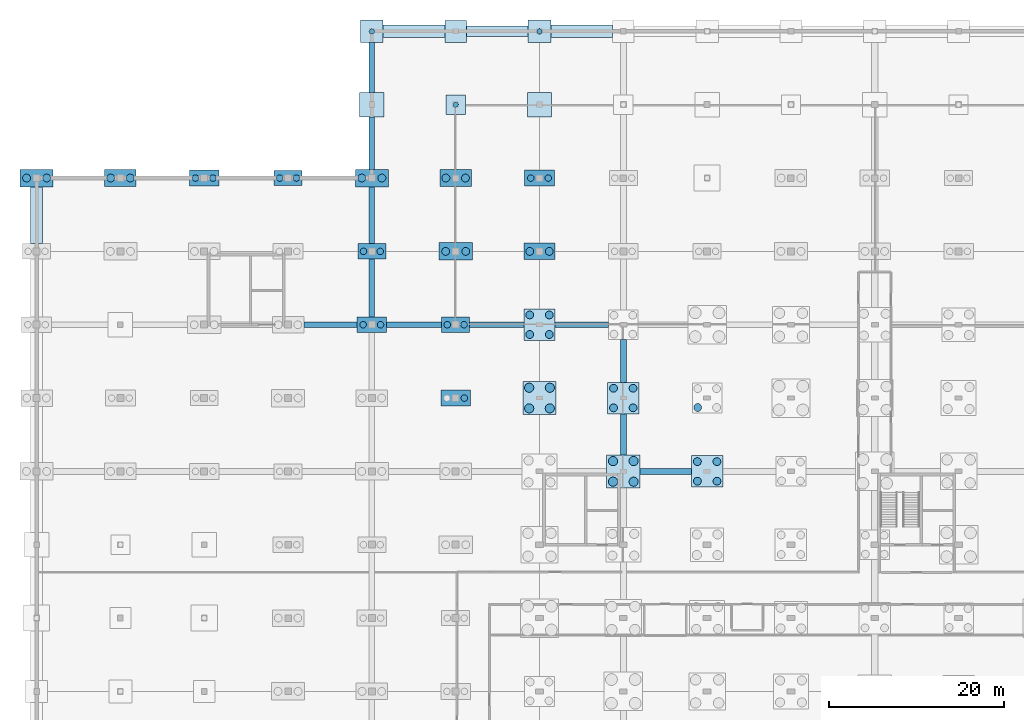
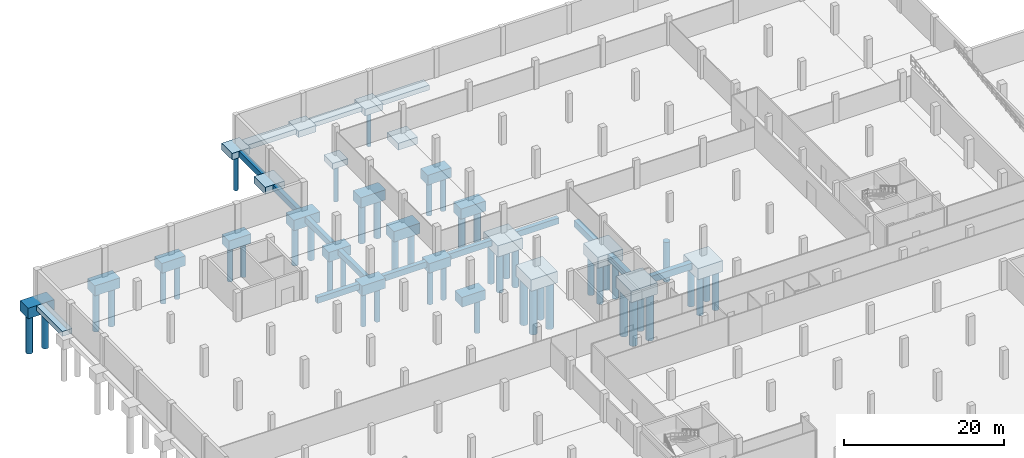
# One storey, part 6 of 26: 49 piles, 39 footings.
"""IFC4 building model written with IfcOpenShell, lengths in metres."""

from ifc_helpers import new_model, si_unit, direction, frame, origin, origin_2d, place, context, subcontext, project, spatial, rectangle, circle, extrude, material, layer, layer_set, material_profile, profile_set, type_object, element, save


model = new_model("IFC4")

# Units and contexts
model_context = context("Model", 3, precision=1e-05, world=origin(), true_north=direction((0.0, 1.0)))
body_context = subcontext(model_context, "Body", "Model", "MODEL_VIEW")
ifc_project = project(units=[si_unit("LENGTHUNIT", "METRE"), si_unit("AREAUNIT", "SQUARE_METRE"), si_unit("VOLUMEUNIT", "CUBIC_METRE"), si_unit("PLANEANGLEUNIT", "RADIAN"), si_unit("MASSUNIT", "GRAM", prefix="KILO")], contexts=[model_context])

# Site, building, storey
site_placement = place(None, origin())
site = spatial("IfcSite", under=ifc_project, at=site_placement, CompositionType="ELEMENT")
building_placement = place(site_placement, origin())
building = spatial("IfcBuilding", under=site, at=building_placement, Name="Lornevale Opera House", CompositionType="ELEMENT")
storey_placement = place(building_placement, frame((0.0, 0.0, -9.60009765625)))
storey = spatial("IfcBuildingStorey", under=building, at=storey_placement, Name="B2", CompositionType="ELEMENT", Elevation=-9.60009765625)

# Footings
ifc_material_1 = material(Name="Concrete 35 MPa (CSA A23.1 N)", Category="concrete")
ifc_layer_1 = layer(ifc_material_1, 1.0)
ifc_layer_set_1 = layer_set([ifc_layer_1], Name="Concrete 35 MPa (CSA A23.1 N)")
footing_type_1 = type_object("IfcFootingType", Name="Canopy Mast Pad 2500x2500x1000", PredefinedType="PAD_FOOTING", material=ifc_layer_set_1)
footing_1_placement = place(storey_placement, frame((48.0, 117.60009765625, -1.4599609375), z_axis=(0.0, 0.0, 1.0), x_axis=(1.0, 0.0, 0.0)))
element("IfcFooting", 1, at=footing_1_placement, inside=storey, type_object=footing_type_1, Name="Canopy Mast Pad 2500x2500x1000 FT-082", PredefinedType="PAD_FOOTING", context=body_context, shape_type="SweptSolid", body=[
    extrude(rectangle(XDim=2.5, YDim=2.5, at=origin_2d()), origin(), (0.0, 0.0, 1.0), 1.0),
])
ifc_layer_2 = layer(ifc_material_1, 1.699951171875)
ifc_layer_set_2 = layer_set([ifc_layer_2], Name="Concrete 35 MPa (CSA A23.1 N)")
footing_type_2 = type_object("IfcFootingType", Name="Four-Caisson Cap 3600x3600x1700", PredefinedType="PILE_CAP", material=ifc_layer_set_2)
for number, where, z_axis, x_axis, name in (
    (2, (57.60009765625, 84.0, -2.15966796875), (0.0, 0.0, 1.0), (1.0, 0.0, 0.0), "Four-Caisson Cap 3600x3600x1700 FT-093"),
    (3, (67.199951171875, 75.60009765625, -2.15966796875), (0.0, 0.0, 1.0), (1.0, 0.0, 0.0), "Four-Caisson Cap 3600x3600x1700 FT-107"),
    (4, (76.800048828125, 67.199951171875, -2.15966796875), (0.0, 0.0, 1.0), (1.0, 0.0, 0.0), "Four-Caisson Cap 3600x3600x1700 FT-121"),
):
    element("IfcFooting", number, at=place(storey_placement, frame(where, z_axis=z_axis, x_axis=x_axis)), inside=storey, type_object=footing_type_2, Name=name, PredefinedType="PILE_CAP", context=body_context, shape_type="SweptSolid", body=[
        extrude(rectangle(XDim=3.60009765625, YDim=3.60009765625, at=origin_2d()), origin(), (0.0, 0.0, 1.0), 1.699951171875),
    ])
ifc_layer_3 = layer(ifc_material_1, 1.75)
ifc_layer_set_3 = layer_set([ifc_layer_3], Name="Concrete 35 MPa (CSA A23.1 N)")
footing_type_3 = type_object("IfcFootingType", Name="Four-Caisson Cap 3800x3800x1750", PredefinedType="PILE_CAP", material=ifc_layer_set_3)
for number, where, z_axis, x_axis, name in (
    (5, (57.60009765625, 75.60009765625, -2.2099609375), (0.0, 0.0, 1.0), (1.0, 0.0, 0.0), "Four-Caisson Cap 3800x3800x1750 FT-092"),
    (6, (67.199951171875, 67.199951171875, -2.2099609375), (0.0, 0.0, 1.0), (1.0, 0.0, 0.0), "Four-Caisson Cap 3800x3800x1750 FT-106"),
):
    element("IfcFooting", number, at=place(storey_placement, frame(where, z_axis=z_axis, x_axis=x_axis)), inside=storey, type_object=footing_type_3, Name=name, PredefinedType="PILE_CAP", context=body_context, shape_type="SweptSolid", body=[
        extrude(rectangle(XDim=3.800048828125, YDim=3.800048828125, at=origin_2d()), origin(), (0.0, 0.0, 1.0), 1.75),
    ])
ifc_layer_4 = layer(ifc_material_1, 0.89990234375)
ifc_layer_set_4 = layer_set([ifc_layer_4], Name="Concrete 35 MPa (CSA A23.1 N)")
footing_type_4 = type_object("IfcFootingType", Name="Grade Tie Beam EW 600x900", PredefinedType="FOOTING_BEAM", material=ifc_layer_set_4)
footing_2_placement = place(storey_placement, frame((33.64990234375, 84.0, -1.35986328125), z_axis=(0.0, 0.0, 1.0), x_axis=(1.0, 0.0, 0.0)))
element("IfcFooting", 7, at=footing_2_placement, inside=storey, type_object=footing_type_4, Name="Grade Tie Beam EW 600x900 FT-264", PredefinedType="FOOTING_BEAM", context=body_context, shape_type="SweptSolid", body=[
    extrude(rectangle(XDim=6.10009765625, YDim=0.60009765625, at=origin_2d()), origin(), (0.0, 0.0, 1.0), 0.89990234375),
])
footing_3_placement = place(storey_placement, frame((43.25, 84.0, -1.35986328125), z_axis=(0.0, 0.0, 1.0), x_axis=(1.0, 0.0, 0.0)))
element("IfcFooting", 8, at=footing_3_placement, inside=storey, type_object=footing_type_4, Name="Grade Tie Beam EW 600x900 FT-268", PredefinedType="FOOTING_BEAM", context=body_context, shape_type="SweptSolid", body=[
    extrude(rectangle(XDim=6.300048828125, YDim=0.60009765625, at=origin_2d()), origin(), (0.0, 0.0, 1.0), 0.89990234375),
])
footing_4_placement = place(storey_placement, frame((52.699951171875, 84.0, -1.35986328125), z_axis=(0.0, 0.0, 1.0), x_axis=(1.0, 0.0, 0.0)))
element("IfcFooting", 9, at=footing_4_placement, inside=storey, type_object=footing_type_4, Name="Grade Tie Beam EW 600x900 FT-273", PredefinedType="FOOTING_BEAM", context=body_context, shape_type="SweptSolid", body=[
    extrude(rectangle(XDim=6.199951171875, YDim=0.60009765625, at=origin_2d()), origin(), (0.0, 0.0, 1.0), 0.89990234375),
])
footing_5_placement = place(storey_placement, frame((62.449951171875, 84.0, -1.35986328125), z_axis=(0.0, 0.0, 1.0), x_axis=(1.0, 0.0, 0.0)))
element("IfcFooting", 10, at=footing_5_placement, inside=storey, type_object=footing_type_4, Name="Grade Tie Beam EW 600x900 FT-278", PredefinedType="FOOTING_BEAM", context=body_context, shape_type="SweptSolid", body=[
    extrude(rectangle(XDim=6.10009765625, YDim=0.60009765625, at=origin_2d()), origin(), (0.0, 0.0, 1.0), 0.89990234375),
])
ifc_layer_5 = layer(ifc_material_1, 1.0)
ifc_layer_set_5 = layer_set([ifc_layer_5], Name="Concrete 35 MPa (CSA A23.1 N)")
footing_type_5 = type_object("IfcFootingType", Name="Grade Tie Beam EW 700x1000", PredefinedType="FOOTING_BEAM", material=ifc_layer_set_5)
footing_6_placement = place(storey_placement, frame((72.050048828125, 67.199951171875, -1.4599609375), z_axis=(0.0, 0.0, 1.0), x_axis=(1.0, 0.0, 0.0)))
element("IfcFooting", 11, at=footing_6_placement, inside=storey, type_object=footing_type_5, Name="Grade Tie Beam EW 700x1000 FT-282", PredefinedType="FOOTING_BEAM", context=body_context, shape_type="SweptSolid", body=[
    extrude(rectangle(XDim=5.89990234375, YDim=0.699951171875, at=origin_2d()), origin(), (0.0, 0.0, 1.0), 1.0),
])
ifc_layer_6 = layer(ifc_material_1, 0.89990234375)
ifc_layer_set_6 = layer_set([ifc_layer_6], Name="Concrete 35 MPa (CSA A23.1 N)")
footing_type_6 = type_object("IfcFootingType", Name="Grade Tie Beam NS 600x900", PredefinedType="FOOTING_BEAM", material=ifc_layer_set_6)
footing_7_placement = place(storey_placement, frame((38.39990234375, 88.21240234375, -1.35986328125), z_axis=(0.0, 0.0, 1.0), x_axis=(1.0, 0.0, 0.0)))
element("IfcFooting", 12, at=footing_7_placement, inside=storey, type_object=footing_type_6, Name="Grade Tie Beam NS 600x900 FT-346", PredefinedType="FOOTING_BEAM", context=body_context, shape_type="SweptSolid", body=[
    extrude(rectangle(XDim=0.60009765625, YDim=6.625, at=origin_2d()), origin(), (0.0, 0.0, 1.0), 0.89990234375),
])
footing_8_placement = place(storey_placement, frame((38.39990234375, 96.53759765625, -1.35986328125), z_axis=(0.0, 0.0, 1.0), x_axis=(1.0, 0.0, 0.0)))
element("IfcFooting", 13, at=footing_8_placement, inside=storey, type_object=footing_type_6, Name="Grade Tie Beam NS 600x900 FT-347", PredefinedType="FOOTING_BEAM", context=body_context, shape_type="SweptSolid", body=[
    extrude(rectangle(XDim=0.60009765625, YDim=6.52490234375, at=origin_2d()), origin(), (0.0, 0.0, 1.0), 0.89990234375),
])
footing_9_placement = place(storey_placement, frame((38.39990234375, 104.800048828125, -1.35986328125), z_axis=(0.0, 0.0, 1.0), x_axis=(1.0, 0.0, 0.0)))
element("IfcFooting", 14, at=footing_9_placement, inside=storey, type_object=footing_type_6, Name="Grade Tie Beam NS 600x900 FT-348", PredefinedType="FOOTING_BEAM", context=body_context, shape_type="SweptSolid", body=[
    extrude(rectangle(XDim=0.60009765625, YDim=6.0, at=origin_2d()), origin(), (0.0, 0.0, 1.0), 0.89990234375),
])
footing_10_placement = place(storey_placement, frame((38.39990234375, 113.449951171875, -1.35986328125), z_axis=(0.0, 0.0, 1.0), x_axis=(1.0, 0.0, 0.0)))
element("IfcFooting", 15, at=footing_10_placement, inside=storey, type_object=footing_type_6, Name="Grade Tie Beam NS 600x900 FT-349", PredefinedType="FOOTING_BEAM", context=body_context, shape_type="SweptSolid", body=[
    extrude(rectangle(XDim=0.60009765625, YDim=5.699951171875, at=origin_2d()), origin(), (0.0, 0.0, 1.0), 0.89990234375),
])
ifc_layer_7 = layer(ifc_material_1, 1.0)
ifc_layer_set_7 = layer_set([ifc_layer_7], Name="Concrete 35 MPa (CSA A23.1 N)")
footing_type_7 = type_object("IfcFootingType", Name="Grade Tie Beam NS 700x1000", PredefinedType="FOOTING_BEAM", material=ifc_layer_set_7)
footing_11_placement = place(storey_placement, frame((67.199951171875, 71.449951171875, -1.4599609375), z_axis=(0.0, 0.0, 1.0), x_axis=(1.0, 0.0, 0.0)))
element("IfcFooting", 16, at=footing_11_placement, inside=storey, type_object=footing_type_7, Name="Grade Tie Beam NS 700x1000 FT-358", PredefinedType="FOOTING_BEAM", context=body_context, shape_type="SweptSolid", body=[
    extrude(rectangle(XDim=0.699951171875, YDim=4.699951171875, at=origin_2d()), origin(), (0.0, 0.0, 1.0), 1.0),
])
footing_12_placement = place(storey_placement, frame((67.199951171875, 79.85009765625, -1.4599609375), z_axis=(0.0, 0.0, 1.0), x_axis=(1.0, 0.0, 0.0)))
element("IfcFooting", 17, at=footing_12_placement, inside=storey, type_object=footing_type_7, Name="Grade Tie Beam NS 700x1000 FT-359", PredefinedType="FOOTING_BEAM", context=body_context, shape_type="SweptSolid", body=[
    extrude(rectangle(XDim=0.699951171875, YDim=4.89990234375, at=origin_2d()), origin(), (0.0, 0.0, 1.0), 1.0),
])

# Piles
ifc_material_2 = material(Name="Concrete 40 MPa (CSA A23.1 C-1)", Category="concrete")
ifc_material_profile_1 = material_profile(ifc_material_2, circle(Radius=0.300048828125, at=origin_2d()), Name="CAIS600")
ifc_profile_set_1 = profile_set([ifc_material_profile_1], Name="Concrete 40 MPa (CSA A23.1 C-1)")
pile_type_1 = type_object("IfcPileType", Name="Micropile Caisson D600", PredefinedType="BORED", material=ifc_profile_set_1)
pile_1_placement = place(storey_placement, frame((38.39990234375, 117.60009765625, -1.33984375), z_axis=(0.0, 0.0, -1.0), x_axis=(1.0, 0.0, 0.0)))
element("IfcPile", 18, at=pile_1_placement, inside=storey, type_object=pile_type_1, Name="Micropile Caisson D600 0110", PredefinedType="BORED", context=body_context, shape_type="SweptSolid", body=[
    extrude(circle(Radius=0.300048828125, at=origin_2d()), origin(), (0.0, 0.0, 1.0), 5.860107421875),
])
pile_2_placement = place(storey_placement, frame((48.0, 109.199951171875, -1.239990234375), z_axis=(0.0, 0.0, -1.0), x_axis=(1.0, 0.0, 0.0)))
element("IfcPile", 19, at=pile_2_placement, inside=storey, type_object=pile_type_1, Name="Micropile Caisson D600 0134", PredefinedType="BORED", context=body_context, shape_type="SweptSolid", body=[
    extrude(circle(Radius=0.300048828125, at=origin_2d()), origin(), (0.0, 0.0, 1.0), 5.9599609375),
])
pile_3_placement = place(storey_placement, frame((57.60009765625, 117.60009765625, -1.33984375), z_axis=(0.0, 0.0, -1.0), x_axis=(1.0, 0.0, 0.0)))
element("IfcPile", 20, at=pile_3_placement, inside=storey, type_object=pile_type_1, Name="Micropile Caisson D600 0172", PredefinedType="BORED", context=body_context, shape_type="SweptSolid", body=[
    extrude(circle(Radius=0.300048828125, at=origin_2d()), origin(), (0.0, 0.0, 1.0), 5.860107421875),
])

# Footings
ifc_layer_8 = layer(ifc_material_1, 0.699951171875)
ifc_layer_set_8 = layer_set([ifc_layer_8], Name="Concrete 35 MPa (CSA A23.1 N)")
footing_type_8 = type_object("IfcFootingType", Name="Perimeter Strip Footing 1200x700", PredefinedType="STRIP_FOOTING", material=ifc_layer_set_8)
footing_13_placement = place(storey_placement, frame((52.77490234375, 117.60009765625, -1.15966796875), z_axis=(0.0, 0.0, 1.0), x_axis=(1.0, 0.0, 0.0)))
element("IfcFooting", 21, at=footing_13_placement, inside=storey, type_object=footing_type_8, Name="Perimeter Strip Footing 1200x700 FT-274", PredefinedType="STRIP_FOOTING", context=body_context, shape_type="SweptSolid", body=[
    extrude(rectangle(XDim=7.050048828125, YDim=1.199951171875, at=origin_2d()), origin(), (0.0, 0.0, 1.0), 0.699951171875),
])
ifc_layer_9 = layer(ifc_material_1, 0.75)
ifc_layer_set_9 = layer_set([ifc_layer_9], Name="Concrete 35 MPa (CSA A23.1 N)")
footing_type_9 = type_object("IfcFootingType", Name="Perimeter Strip Footing 1400x750", PredefinedType="STRIP_FOOTING", material=ifc_layer_set_9)
for number, where, z_axis, x_axis, name in (
    (22, (43.22509765625, 117.60009765625, -1.2099609375), (0.0, 0.0, 1.0), (1.0, 0.0, 0.0), "Perimeter Strip Footing 1400x750 FT-269"),
    (23, (62.425048828125, 117.60009765625, -1.2099609375), (0.0, 0.0, 1.0), (1.0, 0.0, 0.0), "Perimeter Strip Footing 1400x750 FT-279"),
):
    element("IfcFooting", number, at=place(storey_placement, frame(where, z_axis=z_axis, x_axis=x_axis)), inside=storey, type_object=footing_type_9, Name=name, PredefinedType="STRIP_FOOTING", context=body_context, shape_type="SweptSolid", body=[
        extrude(rectangle(XDim=7.050048828125, YDim=1.39990234375, at=origin_2d()), origin(), (0.0, 0.0, 1.0), 0.75),
    ])
ifc_layer_10 = layer(ifc_material_1, 0.75)
ifc_layer_set_10 = layer_set([ifc_layer_10], Name="Concrete 35 MPa (CSA A23.1 N)")
footing_type_10 = type_object("IfcFootingType", Name="Perimeter Strip Footing NS 1400x750", PredefinedType="STRIP_FOOTING", material=ifc_layer_set_10)
footing_14_placement = place(storey_placement, frame((0.0, 96.53759765625, -1.2099609375), z_axis=(0.0, 0.0, 1.0), x_axis=(1.0, 0.0, 0.0)))
element("IfcFooting", 24, at=footing_14_placement, inside=storey, type_object=footing_type_10, Name="Perimeter Strip Footing NS 1400x750 FT-335", PredefinedType="STRIP_FOOTING", context=body_context, shape_type="SweptSolid", body=[
    extrude(rectangle(XDim=1.39990234375, YDim=6.52490234375, at=origin_2d()), origin(), (0.0, 0.0, 1.0), 0.75),
])

# Piles
ifc_material_profile_2 = material_profile(ifc_material_2, circle(Radius=0.52490234375, at=origin_2d()), Name="CAIS1050")
ifc_profile_set_2 = profile_set([ifc_material_profile_2], Name="Concrete 40 MPa (CSA A23.1 C-1)")
pile_type_2 = type_object("IfcPileType", Name="Rock-Socketed Caisson D1050", PredefinedType="BORED", material=ifc_profile_set_2)
for number, where, z_axis, x_axis, name in (
    (25, (56.419921875, 74.419921875, -2.08984375), (0.0, 0.0, -1.0), (1.0, 0.0, 0.0), "Rock-Socketed Caisson D1050 0160"),
    (26, (58.780029296875, 74.419921875, -2.08984375), (0.0, 0.0, -1.0), (1.0, 0.0, 0.0), "Rock-Socketed Caisson D1050 0161"),
    (27, (56.419921875, 76.780029296875, -2.08984375), (0.0, 0.0, -1.0), (1.0, 0.0, 0.0), "Rock-Socketed Caisson D1050 0162"),
    (28, (58.780029296875, 76.780029296875, -2.08984375), (0.0, 0.0, -1.0), (1.0, 0.0, 0.0), "Rock-Socketed Caisson D1050 0163"),
    (29, (66.02001953125, 66.02001953125, -2.08984375), (0.0, 0.0, -1.0), (1.0, 0.0, 0.0), "Rock-Socketed Caisson D1050 0195"),
    (30, (68.3798828125, 66.02001953125, -2.08984375), (0.0, 0.0, -1.0), (1.0, 0.0, 0.0), "Rock-Socketed Caisson D1050 0196"),
    (31, (66.02001953125, 68.3798828125, -2.08984375), (0.0, 0.0, -1.0), (1.0, 0.0, 0.0), "Rock-Socketed Caisson D1050 0197"),
    (32, (68.3798828125, 68.3798828125, -2.08984375), (0.0, 0.0, -1.0), (1.0, 0.0, 0.0), "Rock-Socketed Caisson D1050 0198"),
):
    element("IfcPile", number, at=place(storey_placement, frame(where, z_axis=z_axis, x_axis=x_axis)), inside=storey, type_object=pile_type_2, Name=name, PredefinedType="BORED", context=body_context, shape_type="SweptSolid", body=[
        extrude(circle(Radius=0.52490234375, at=origin_2d()), origin(), (0.0, 0.0, 1.0), 7.110107421875),
    ])
ifc_material_profile_3 = material_profile(ifc_material_2, circle(Radius=0.375, at=origin_2d()), Name="CAIS750")
ifc_profile_set_3 = profile_set([ifc_material_profile_3], Name="Concrete 40 MPa (CSA A23.1 C-1)")
pile_type_3 = type_object("IfcPileType", Name="Rock-Socketed Caisson D750", PredefinedType="BORED", material=ifc_profile_set_3)
for number, where, z_axis, x_axis, name in (
    (33, (18.199951171875, 100.800048828125, -1.83984375), (0.0, 0.0, -1.0), (1.0, 0.0, 0.0), "Rock-Socketed Caisson D750 0056"),
    (34, (20.199951171875, 100.800048828125, -1.83984375), (0.0, 0.0, -1.0), (1.0, 0.0, 0.0), "Rock-Socketed Caisson D750 0057"),
):
    element("IfcPile", number, at=place(storey_placement, frame(where, z_axis=z_axis, x_axis=x_axis)), inside=storey, type_object=pile_type_3, Name=name, PredefinedType="BORED", context=body_context, shape_type="SweptSolid", body=[
        extrude(circle(Radius=0.375, at=origin_2d()), origin(), (0.0, 0.0, 1.0), 5.360107421875),
    ])
for number, where, z_axis, x_axis, name in (
    (35, (27.840087890625, 100.800048828125, -1.789794921875), (0.0, 0.0, -1.0), (1.0, 0.0, 0.0), "Rock-Socketed Caisson D750 0082"),
    (36, (29.760009765625, 100.800048828125, -1.789794921875), (0.0, 0.0, -1.0), (1.0, 0.0, 0.0), "Rock-Socketed Caisson D750 0083"),
):
    element("IfcPile", number, at=place(storey_placement, frame(where, z_axis=z_axis, x_axis=x_axis)), inside=storey, type_object=pile_type_3, Name=name, PredefinedType="BORED", context=body_context, shape_type="SweptSolid", body=[
        extrude(circle(Radius=0.375, at=origin_2d()), origin(), (0.0, 0.0, 1.0), 5.409912109375),
    ])
for number, where, z_axis, x_axis, name in (
    (37, (37.39990234375, 84.0, -1.83984375), (0.0, 0.0, -1.0), (1.0, 0.0, 0.0), "Rock-Socketed Caisson D750 0104"),
    (38, (39.39990234375, 84.0, -1.83984375), (0.0, 0.0, -1.0), (1.0, 0.0, 0.0), "Rock-Socketed Caisson D750 0105"),
):
    element("IfcPile", number, at=place(storey_placement, frame(where, z_axis=z_axis, x_axis=x_axis)), inside=storey, type_object=pile_type_3, Name=name, PredefinedType="BORED", context=body_context, shape_type="SweptSolid", body=[
        extrude(circle(Radius=0.375, at=origin_2d()), origin(), (0.0, 0.0, 1.0), 5.360107421875),
    ])
for number, where, z_axis, x_axis, name in (
    (39, (37.43994140625, 92.39990234375, -1.789794921875), (0.0, 0.0, -1.0), (1.0, 0.0, 0.0), "Rock-Socketed Caisson D750 0106"),
    (40, (39.360107421875, 92.39990234375, -1.789794921875), (0.0, 0.0, -1.0), (1.0, 0.0, 0.0), "Rock-Socketed Caisson D750 0107"),
):
    element("IfcPile", number, at=place(storey_placement, frame(where, z_axis=z_axis, x_axis=x_axis)), inside=storey, type_object=pile_type_3, Name=name, PredefinedType="BORED", context=body_context, shape_type="SweptSolid", body=[
        extrude(circle(Radius=0.375, at=origin_2d()), origin(), (0.0, 0.0, 1.0), 5.409912109375),
    ])
pile_4_placement = place(storey_placement, frame((49.0, 75.60009765625, -1.83984375), z_axis=(0.0, 0.0, -1.0), x_axis=(1.0, 0.0, 0.0)))
element("IfcPile", 41, at=pile_4_placement, inside=storey, type_object=pile_type_3, Name="Rock-Socketed Caisson D750 0127", PredefinedType="BORED", context=body_context, shape_type="SweptSolid", body=[
    extrude(circle(Radius=0.375, at=origin_2d()), origin(), (0.0, 0.0, 1.0), 5.360107421875),
])
for number, where, z_axis, x_axis, name in (
    (42, (47.0400390625, 84.0, -1.789794921875), (0.0, 0.0, -1.0), (1.0, 0.0, 0.0), "Rock-Socketed Caisson D750 0128"),
    (43, (48.9599609375, 84.0, -1.789794921875), (0.0, 0.0, -1.0), (1.0, 0.0, 0.0), "Rock-Socketed Caisson D750 0129"),
):
    element("IfcPile", number, at=place(storey_placement, frame(where, z_axis=z_axis, x_axis=x_axis)), inside=storey, type_object=pile_type_3, Name=name, PredefinedType="BORED", context=body_context, shape_type="SweptSolid", body=[
        extrude(circle(Radius=0.375, at=origin_2d()), origin(), (0.0, 0.0, 1.0), 5.409912109375),
    ])
for number, where, z_axis, x_axis, name in (
    (44, (56.60009765625, 100.800048828125, -1.83984375), (0.0, 0.0, -1.0), (1.0, 0.0, 0.0), "Rock-Socketed Caisson D750 0170"),
    (45, (58.60009765625, 100.800048828125, -1.83984375), (0.0, 0.0, -1.0), (1.0, 0.0, 0.0), "Rock-Socketed Caisson D750 0171"),
):
    element("IfcPile", number, at=place(storey_placement, frame(where, z_axis=z_axis, x_axis=x_axis)), inside=storey, type_object=pile_type_3, Name=name, PredefinedType="BORED", context=body_context, shape_type="SweptSolid", body=[
        extrude(circle(Radius=0.375, at=origin_2d()), origin(), (0.0, 0.0, 1.0), 5.360107421875),
    ])
ifc_material_profile_4 = material_profile(ifc_material_2, circle(Radius=0.449951171875, at=origin_2d()), Name="CAIS900")
ifc_profile_set_4 = profile_set([ifc_material_profile_4], Name="Concrete 40 MPa (CSA A23.1 C-1)")
pile_type_4 = type_object("IfcPileType", Name="Rock-Socketed Caisson D900", PredefinedType="BORED", material=ifc_profile_set_4)
for number, where, z_axis, x_axis, name in (
    (46, (-1.14990234375, 100.800048828125, -1.93994140625), (0.0, 0.0, -1.0), (1.0, 0.0, 0.0), "Rock-Socketed Caisson D900 0019"),
    (47, (1.14990234375, 100.800048828125, -1.93994140625), (0.0, 0.0, -1.0), (1.0, 0.0, 0.0), "Rock-Socketed Caisson D900 0020"),
):
    element("IfcPile", number, at=place(storey_placement, frame(where, z_axis=z_axis, x_axis=x_axis)), inside=storey, type_object=pile_type_4, Name=name, PredefinedType="BORED", context=body_context, shape_type="SweptSolid", body=[
        extrude(circle(Radius=0.449951171875, at=origin_2d()), origin(), (0.0, 0.0, 1.0), 6.06005859375),
    ])
for number, where, z_axis, x_axis, name in (
    (48, (8.47998046875, 100.800048828125, -1.889892578125), (0.0, 0.0, -1.0), (1.0, 0.0, 0.0), "Rock-Socketed Caisson D900 0036"),
    (49, (10.719970703125, 100.800048828125, -1.889892578125), (0.0, 0.0, -1.0), (1.0, 0.0, 0.0), "Rock-Socketed Caisson D900 0037"),
):
    element("IfcPile", number, at=place(storey_placement, frame(where, z_axis=z_axis, x_axis=x_axis)), inside=storey, type_object=pile_type_4, Name=name, PredefinedType="BORED", context=body_context, shape_type="SweptSolid", body=[
        extrude(circle(Radius=0.449951171875, at=origin_2d()), origin(), (0.0, 0.0, 1.0), 6.110107421875),
    ])
for number, where, z_axis, x_axis, name in (
    (50, (37.25, 100.800048828125, -1.93994140625), (0.0, 0.0, -1.0), (1.0, 0.0, 0.0), "Rock-Socketed Caisson D900 0108"),
    (51, (39.550048828125, 100.800048828125, -1.93994140625), (0.0, 0.0, -1.0), (1.0, 0.0, 0.0), "Rock-Socketed Caisson D900 0109"),
    (52, (46.85009765625, 92.39990234375, -1.93994140625), (0.0, 0.0, -1.0), (1.0, 0.0, 0.0), "Rock-Socketed Caisson D900 0130"),
    (53, (49.14990234375, 92.39990234375, -1.93994140625), (0.0, 0.0, -1.0), (1.0, 0.0, 0.0), "Rock-Socketed Caisson D900 0131"),
):
    element("IfcPile", number, at=place(storey_placement, frame(where, z_axis=z_axis, x_axis=x_axis)), inside=storey, type_object=pile_type_4, Name=name, PredefinedType="BORED", context=body_context, shape_type="SweptSolid", body=[
        extrude(circle(Radius=0.449951171875, at=origin_2d()), origin(), (0.0, 0.0, 1.0), 6.06005859375),
    ])
for number, where, z_axis, x_axis, name in (
    (54, (46.8798828125, 100.800048828125, -1.889892578125), (0.0, 0.0, -1.0), (1.0, 0.0, 0.0), "Rock-Socketed Caisson D900 0132"),
    (55, (49.1201171875, 100.800048828125, -1.889892578125), (0.0, 0.0, -1.0), (1.0, 0.0, 0.0), "Rock-Socketed Caisson D900 0133"),
):
    element("IfcPile", number, at=place(storey_placement, frame(where, z_axis=z_axis, x_axis=x_axis)), inside=storey, type_object=pile_type_4, Name=name, PredefinedType="BORED", context=body_context, shape_type="SweptSolid", body=[
        extrude(circle(Radius=0.449951171875, at=origin_2d()), origin(), (0.0, 0.0, 1.0), 6.110107421875),
    ])
for number, where, z_axis, x_axis, name in (
    (56, (56.47998046875, 82.8798828125, -2.039794921875), (0.0, 0.0, -1.0), (1.0, 0.0, 0.0), "Rock-Socketed Caisson D900 0164"),
    (57, (58.719970703125, 82.8798828125, -2.039794921875), (0.0, 0.0, -1.0), (1.0, 0.0, 0.0), "Rock-Socketed Caisson D900 0165"),
    (58, (56.47998046875, 85.1201171875, -2.039794921875), (0.0, 0.0, -1.0), (1.0, 0.0, 0.0), "Rock-Socketed Caisson D900 0166"),
    (59, (58.719970703125, 85.1201171875, -2.039794921875), (0.0, 0.0, -1.0), (1.0, 0.0, 0.0), "Rock-Socketed Caisson D900 0167"),
):
    element("IfcPile", number, at=place(storey_placement, frame(where, z_axis=z_axis, x_axis=x_axis)), inside=storey, type_object=pile_type_4, Name=name, PredefinedType="BORED", context=body_context, shape_type="SweptSolid", body=[
        extrude(circle(Radius=0.449951171875, at=origin_2d()), origin(), (0.0, 0.0, 1.0), 5.9599609375),
    ])
for number, where, z_axis, x_axis, name in (
    (60, (56.47998046875, 92.39990234375, -1.889892578125), (0.0, 0.0, -1.0), (1.0, 0.0, 0.0), "Rock-Socketed Caisson D900 0168"),
    (61, (58.719970703125, 92.39990234375, -1.889892578125), (0.0, 0.0, -1.0), (1.0, 0.0, 0.0), "Rock-Socketed Caisson D900 0169"),
):
    element("IfcPile", number, at=place(storey_placement, frame(where, z_axis=z_axis, x_axis=x_axis)), inside=storey, type_object=pile_type_4, Name=name, PredefinedType="BORED", context=body_context, shape_type="SweptSolid", body=[
        extrude(circle(Radius=0.449951171875, at=origin_2d()), origin(), (0.0, 0.0, 1.0), 6.110107421875),
    ])
for number, where, z_axis, x_axis, name in (
    (62, (66.080078125, 74.47998046875, -2.039794921875), (0.0, 0.0, -1.0), (1.0, 0.0, 0.0), "Rock-Socketed Caisson D900 0199"),
    (63, (68.320068359375, 74.47998046875, -2.039794921875), (0.0, 0.0, -1.0), (1.0, 0.0, 0.0), "Rock-Socketed Caisson D900 0200"),
    (64, (66.080078125, 76.719970703125, -2.039794921875), (0.0, 0.0, -1.0), (1.0, 0.0, 0.0), "Rock-Socketed Caisson D900 0201"),
    (65, (68.320068359375, 76.719970703125, -2.039794921875), (0.0, 0.0, -1.0), (1.0, 0.0, 0.0), "Rock-Socketed Caisson D900 0202"),
    (66, (75.679931640625, 66.080078125, -2.039794921875), (0.0, 0.0, -1.0), (1.0, 0.0, 0.0), "Rock-Socketed Caisson D900 0233"),
    (67, (77.919921875, 66.080078125, -2.039794921875), (0.0, 0.0, -1.0), (1.0, 0.0, 0.0), "Rock-Socketed Caisson D900 0234"),
    (68, (75.679931640625, 68.320068359375, -2.039794921875), (0.0, 0.0, -1.0), (1.0, 0.0, 0.0), "Rock-Socketed Caisson D900 0235"),
    (69, (77.919921875, 68.320068359375, -2.039794921875), (0.0, 0.0, -1.0), (1.0, 0.0, 0.0), "Rock-Socketed Caisson D900 0236"),
):
    element("IfcPile", number, at=place(storey_placement, frame(where, z_axis=z_axis, x_axis=x_axis)), inside=storey, type_object=pile_type_4, Name=name, PredefinedType="BORED", context=body_context, shape_type="SweptSolid", body=[
        extrude(circle(Radius=0.449951171875, at=origin_2d()), origin(), (0.0, 0.0, 1.0), 5.9599609375),
    ])
pile_5_placement = place(storey_placement, frame((75.719970703125, 74.52001953125, -1.93994140625), z_axis=(0.0, 0.0, -1.0), x_axis=(1.0, 0.0, 0.0)))
element("IfcPile", 70, at=pile_5_placement, inside=storey, type_object=pile_type_4, Name="Rock-Socketed Caisson D900 0237", PredefinedType="BORED", context=body_context, shape_type="SweptSolid", body=[
    extrude(circle(Radius=0.449951171875, at=origin_2d()), origin(), (0.0, 0.0, 1.0), 6.06005859375),
])

# Footings
ifc_layer_11 = layer(ifc_material_1, 0.89990234375)
ifc_layer_set_11 = layer_set([ifc_layer_11], Name="Concrete 35 MPa (CSA A23.1 N)")
footing_type_11 = type_object("IfcFootingType", Name="Spread Pad Footing 2200x2200x900", PredefinedType="PAD_FOOTING", material=ifc_layer_set_11)
footing_15_placement = place(storey_placement, frame((48.0, 109.199951171875, -1.35986328125), z_axis=(0.0, 0.0, 1.0), x_axis=(1.0, 0.0, 0.0)))
element("IfcFooting", 71, at=footing_15_placement, inside=storey, type_object=footing_type_11, Name="Spread Pad Footing 2200x2200x900 FT-081", PredefinedType="PAD_FOOTING", context=body_context, shape_type="SweptSolid", body=[
    extrude(rectangle(XDim=2.199951171875, YDim=2.199951171875, at=origin_2d()), origin(), (0.0, 0.0, 1.0), 0.89990234375),
])
ifc_layer_12 = layer(ifc_material_1, 1.0)
ifc_layer_set_12 = layer_set([ifc_layer_12], Name="Concrete 35 MPa (CSA A23.1 N)")
footing_type_12 = type_object("IfcFootingType", Name="Spread Pad Footing 2600x2600x1000", PredefinedType="PAD_FOOTING", material=ifc_layer_set_12)
for number, where, z_axis, x_axis, name in (
    (72, (38.39990234375, 117.60009765625, -1.4599609375), (0.0, 0.0, 1.0), (1.0, 0.0, 0.0), "Spread Pad Footing 2600x2600x1000 FT-067"),
    (73, (57.60009765625, 117.60009765625, -1.4599609375), (0.0, 0.0, 1.0), (1.0, 0.0, 0.0), "Spread Pad Footing 2600x2600x1000 FT-097"),
):
    element("IfcFooting", number, at=place(storey_placement, frame(where, z_axis=z_axis, x_axis=x_axis)), inside=storey, type_object=footing_type_12, Name=name, PredefinedType="PAD_FOOTING", context=body_context, shape_type="SweptSolid", body=[
        extrude(rectangle(XDim=2.60009765625, YDim=2.60009765625, at=origin_2d()), origin(), (0.0, 0.0, 1.0), 1.0),
    ])
ifc_layer_13 = layer(ifc_material_1, 1.050048828125)
ifc_layer_set_13 = layer_set([ifc_layer_13], Name="Concrete 35 MPa (CSA A23.1 N)")
footing_type_13 = type_object("IfcFootingType", Name="Spread Pad Footing 2800x2800x1050", PredefinedType="PAD_FOOTING", material=ifc_layer_set_13)
for number, where, z_axis, x_axis, name in (
    (74, (38.39990234375, 109.199951171875, -1.509765625), (0.0, 0.0, 1.0), (1.0, 0.0, 0.0), "Spread Pad Footing 2800x2800x1050 FT-066"),
    (75, (57.60009765625, 109.199951171875, -1.509765625), (0.0, 0.0, 1.0), (1.0, 0.0, 0.0), "Spread Pad Footing 2800x2800x1050 FT-096"),
):
    element("IfcFooting", number, at=place(storey_placement, frame(where, z_axis=z_axis, x_axis=x_axis)), inside=storey, type_object=footing_type_13, Name=name, PredefinedType="PAD_FOOTING", context=body_context, shape_type="SweptSolid", body=[
        extrude(rectangle(XDim=2.800048828125, YDim=2.800048828125, at=origin_2d()), origin(), (0.0, 0.0, 1.0), 1.050048828125),
    ])
ifc_layer_14 = layer(ifc_material_1, 1.449951171875)
ifc_layer_set_14 = layer_set([ifc_layer_14], Name="Concrete 35 MPa (CSA A23.1 N)")
footing_type_14 = type_object("IfcFootingType", Name="Two-Caisson Cap 3200x1750x1450", PredefinedType="PILE_CAP", material=ifc_layer_set_14)
for number, where, z_axis, x_axis, name in (
    (76, (28.800048828125, 100.800048828125, -1.90966796875), (0.0, 0.0, 1.0), (1.0, 0.0, 0.0), "Two-Caisson Cap 3200x1750x1450 FT-052"),
    (77, (38.39990234375, 92.39990234375, -1.90966796875), (0.0, 0.0, 1.0), (1.0, 0.0, 0.0), "Two-Caisson Cap 3200x1750x1450 FT-064"),
    (78, (48.0, 84.0, -1.90966796875), (0.0, 0.0, 1.0), (1.0, 0.0, 0.0), "Two-Caisson Cap 3200x1750x1450 FT-078"),
):
    element("IfcFooting", number, at=place(storey_placement, frame(where, z_axis=z_axis, x_axis=x_axis)), inside=storey, type_object=footing_type_14, Name=name, PredefinedType="PILE_CAP", context=body_context, shape_type="SweptSolid", body=[
        extrude(rectangle(XDim=3.199951171875, YDim=1.75, at=origin_2d()), origin(), (0.0, 0.0, 1.0), 1.449951171875),
    ])
ifc_layer_15 = layer(ifc_material_1, 1.5)
ifc_layer_set_15 = layer_set([ifc_layer_15], Name="Concrete 35 MPa (CSA A23.1 N)")
footing_type_15 = type_object("IfcFootingType", Name="Two-Caisson Cap 3400x1800x1500", PredefinedType="PILE_CAP", material=ifc_layer_set_15)
for number, where, z_axis, x_axis, name in (
    (79, (19.199951171875, 100.800048828125, -1.9599609375), (0.0, 0.0, 1.0), (1.0, 0.0, 0.0), "Two-Caisson Cap 3400x1800x1500 FT-039"),
    (80, (38.39990234375, 84.0, -1.9599609375), (0.0, 0.0, 1.0), (1.0, 0.0, 0.0), "Two-Caisson Cap 3400x1800x1500 FT-063"),
    (81, (48.0, 75.60009765625, -1.9599609375), (0.0, 0.0, 1.0), (1.0, 0.0, 0.0), "Two-Caisson Cap 3400x1800x1500 FT-077"),
    (82, (57.60009765625, 100.800048828125, -1.9599609375), (0.0, 0.0, 1.0), (1.0, 0.0, 0.0), "Two-Caisson Cap 3400x1800x1500 FT-095"),
):
    element("IfcFooting", number, at=place(storey_placement, frame(where, z_axis=z_axis, x_axis=x_axis)), inside=storey, type_object=footing_type_15, Name=name, PredefinedType="PILE_CAP", context=body_context, shape_type="SweptSolid", body=[
        extrude(rectangle(XDim=3.39990234375, YDim=1.800048828125, at=origin_2d()), origin(), (0.0, 0.0, 1.0), 1.5),
    ])
ifc_layer_16 = layer(ifc_material_1, 1.550048828125)
ifc_layer_set_16 = layer_set([ifc_layer_16], Name="Concrete 35 MPa (CSA A23.1 N)")
footing_type_16 = type_object("IfcFootingType", Name="Two-Caisson Cap 3600x1900x1550", PredefinedType="PILE_CAP", material=ifc_layer_set_16)
for number, where, z_axis, x_axis, name in (
    (83, (9.60009765625, 100.800048828125, -2.009765625), (0.0, 0.0, 1.0), (1.0, 0.0, 0.0), "Two-Caisson Cap 3600x1900x1550 FT-026"),
    (84, (48.0, 100.800048828125, -2.009765625), (0.0, 0.0, 1.0), (1.0, 0.0, 0.0), "Two-Caisson Cap 3600x1900x1550 FT-080"),
    (85, (57.60009765625, 92.39990234375, -2.009765625), (0.0, 0.0, 1.0), (1.0, 0.0, 0.0), "Two-Caisson Cap 3600x1900x1550 FT-094"),
):
    element("IfcFooting", number, at=place(storey_placement, frame(where, z_axis=z_axis, x_axis=x_axis)), inside=storey, type_object=footing_type_16, Name=name, PredefinedType="PILE_CAP", context=body_context, shape_type="SweptSolid", body=[
        extrude(rectangle(XDim=3.60009765625, YDim=1.89990234375, at=origin_2d()), origin(), (0.0, 0.0, 1.0), 1.550048828125),
    ])
ifc_layer_17 = layer(ifc_material_1, 1.60009765625)
ifc_layer_set_17 = layer_set([ifc_layer_17], Name="Concrete 35 MPa (CSA A23.1 N)")
footing_type_17 = type_object("IfcFootingType", Name="Two-Caisson Cap 3800x2000x1600", PredefinedType="PILE_CAP", material=ifc_layer_set_17)
for number, where, z_axis, x_axis, name in (
    (86, (0.0, 100.800048828125, -2.06005859375), (0.0, 0.0, 1.0), (1.0, 0.0, 0.0), "Two-Caisson Cap 3800x2000x1600 FT-013"),
    (87, (38.39990234375, 100.800048828125, -2.06005859375), (0.0, 0.0, 1.0), (1.0, 0.0, 0.0), "Two-Caisson Cap 3800x2000x1600 FT-065"),
    (88, (48.0, 92.39990234375, -2.06005859375), (0.0, 0.0, 1.0), (1.0, 0.0, 0.0), "Two-Caisson Cap 3800x2000x1600 FT-079"),
):
    element("IfcFooting", number, at=place(storey_placement, frame(where, z_axis=z_axis, x_axis=x_axis)), inside=storey, type_object=footing_type_17, Name=name, PredefinedType="PILE_CAP", context=body_context, shape_type="SweptSolid", body=[
        extrude(rectangle(XDim=3.800048828125, YDim=2.0, at=origin_2d()), origin(), (0.0, 0.0, 1.0), 1.60009765625),
    ])

save(model, "model.ifc")
